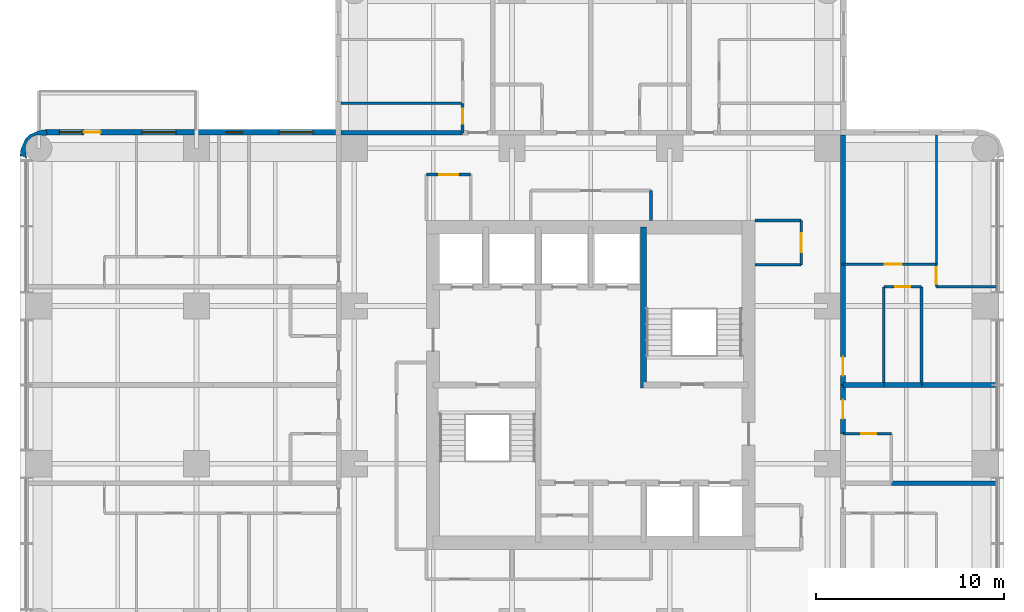
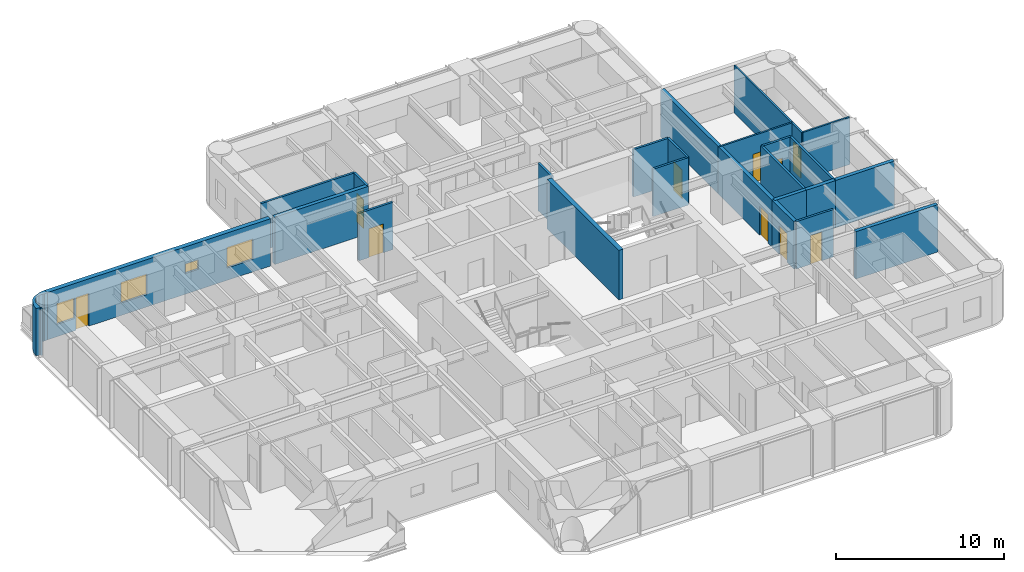
# One storey, part 8 of 11: 26 walls, 10 doors, 4 windows, 14 openings.
"""IFC4 building model written with IfcOpenShell, lengths in metres."""

from ifc_helpers import new_model, si_unit, direction, frame, frame_2d, origin, place, context, subcontext, project, spatial, polyline, rectangle, outline, extrude, material, layer, layer_set, type_object, element, fill, save


model = new_model("IFC4")

# Units and contexts
model_context = context("Model", 3, precision=1e-05, world=origin(), true_north=direction((0.0, 1.0)))
body_context = subcontext(model_context, "Body", "Model", "MODEL_VIEW")
ifc_project = project(units=[si_unit("LENGTHUNIT", "METRE"), si_unit("AREAUNIT", "SQUARE_METRE"), si_unit("VOLUMEUNIT", "CUBIC_METRE"), si_unit("PLANEANGLEUNIT", "RADIAN"), si_unit("MASSUNIT", "GRAM", prefix="KILO")], contexts=[model_context])

# Site, building, storey
site_placement = place(None, origin())
site = spatial("IfcSite", under=ifc_project, at=site_placement, CompositionType="ELEMENT")
building_placement = place(site_placement, origin())
building = spatial("IfcBuilding", under=site, at=building_placement, Name="Torre Alcanfor", CompositionType="ELEMENT")
storey_placement = place(building_placement, frame((0.0, 0.0, 222.89990234375)))
storey = spatial("IfcBuildingStorey", under=building, at=storey_placement, Name="L58", CompositionType="ELEMENT", Elevation=222.89990234375)

# Wall
ifc_material_1 = material(Name="Concrete block masonry, hollow blocks NMX-C-404 9 MPa", Category="masonry")
ifc_layer_1 = layer(ifc_material_1, 0.25)
ifc_layer_set_1 = layer_set([ifc_layer_1], Name="Apartment entrance wall 250 EI 60")
wall_type_1 = type_object("IfcWallType", Name="Apartment entrance wall 250 EI 60", PredefinedType="PARTITIONING", material=ifc_layer_set_1)
wall_1_placement = place(storey_placement, frame((16.10009765625, 42.824951171875, 0.0), z_axis=(0.0, 0.0, 1.0), x_axis=(1.0, 0.0, 0.0)))
element("IfcWall", 1, at=wall_1_placement, inside=storey, type_object=wall_type_1, Name="Partition L58-CORR / L58-N1B-BATH", PredefinedType="PARTITIONING", context=body_context, shape_type="SweptSolid", body=[
    extrude(rectangle(XDim=6.470947265625, YDim=0.25, at=frame_2d((3.2353515625, 0.0))), origin(), (0.0, 0.0, 1.0), 3.4501953125),
])

# Wall, opening, door
wall_2_placement = place(storey_placement, frame((42.824951171875, 35.8291015625, 0.0), z_axis=(0.0, 0.0, 1.0), x_axis=(0.0, -1.0, 0.0)))
wall_2 = element("IfcWall", 2, at=wall_2_placement, inside=storey, type_object=wall_type_1, Name="Partition L58-CORR / L58-E1-LIVING", PredefinedType="PARTITIONING", context=body_context, shape_type="SweptSolid", body=[
    extrude(rectangle(XDim=6.42919921875, YDim=0.25, at=frame_2d((3.214599609375, 0.0))), origin(), (0.0, 0.0, 1.0), 3.4501953125),
])
opening_1_placement = place(wall_2_placement, frame((4.928955078125, 0.0, 0.0)))
opening_1 = element("IfcOpeningElement", 3, at=opening_1_placement, cuts=wall_2, Name="Opening D-A1", PredefinedType="OPENING", context=body_context, shape_type="SweptSolid", body=[
    extrude(rectangle(XDim=1.0, YDim=2.10009765625, at=frame_2d((0.5, 1.050048828125))), frame((0.0, 0.135009765625, 0.0), z_axis=(0.0, -1.0, 0.0), x_axis=(1.0, 0.0, 0.0)), (0.0, 0.0, 1.0), 0.27001953125),
])
ifc_material_2 = material(Name="Galvanised steel sheet ASTM A653", Category="steel")
door_type_1 = type_object("IfcDoorType", Name="Apartment entrance door FD60 1000x2100", OperationType="SINGLE_SWING_LEFT", PredefinedType="DOOR", material=ifc_material_2)
door_1_placement = place(opening_1_placement, origin())
door_1 = element("IfcDoor", 4, at=door_1_placement, inside=storey, type_object=door_type_1, Name="Apartment entrance L58-E1", OperationType="SINGLE_SWING_RIGHT", OverallHeight=2.10009765625, OverallWidth=1.0, PredefinedType="DOOR", context=body_context, shape_type="SweptSolid", body=[
    extrude(rectangle(XDim=1.0, YDim=2.10009765625, at=frame_2d((0.5, 1.050048828125))), frame((0.0, 0.02490234375, 0.0), z_axis=(0.0, -1.0, 0.0), x_axis=(1.0, 0.0, 0.0)), (0.0, 0.0, 1.0), 0.050048828125),
])
fill(opening_1, door_1)

# Wall
wall_3_placement = place(storey_placement, frame((42.824951171875, 42.699951171875, 0.0), z_axis=(0.0, 0.0, 1.0), x_axis=(0.0, -1.0, 0.0)))
element("IfcWall", 5, at=wall_3_placement, inside=storey, type_object=wall_type_1, Name="Partition L58-CORR / L58-E1-BED2", PredefinedType="PARTITIONING", context=body_context, shape_type="SweptSolid", body=[
    extrude(rectangle(XDim=6.870849609375, YDim=0.25, at=frame_2d((3.435546875, 0.0))), origin(), (0.0, 0.0, 1.0), 3.4501953125),
])

# Wall, opening, door
wall_4_placement = place(storey_placement, frame((42.824951171875, 29.39990234375, 0.0), z_axis=(0.0, 0.0, 1.0), x_axis=(0.0, -1.0, 0.0)))
wall_4 = element("IfcWall", 6, at=wall_4_placement, inside=storey, type_object=wall_type_1, Name="Partition L58-CORR / L58-E2A-STUDIO", PredefinedType="PARTITIONING", context=body_context, shape_type="SweptSolid", body=[
    extrude(rectangle(XDim=2.599853515625, YDim=0.25, at=frame_2d((1.2998046875, 0.0))), origin(), (0.0, 0.0, 1.0), 3.4501953125),
])
opening_2_placement = place(wall_4_placement, frame((0.800048828125, 0.0, 0.0)))
opening_2 = element("IfcOpeningElement", 7, at=opening_2_placement, cuts=wall_4, Name="Opening D-A1", PredefinedType="OPENING", context=body_context, shape_type="SweptSolid", body=[
    extrude(rectangle(XDim=1.0, YDim=2.10009765625, at=frame_2d((0.5, 1.050048828125))), frame((0.0, 0.135009765625, 0.0), z_axis=(0.0, -1.0, 0.0), x_axis=(1.0, 0.0, 0.0)), (0.0, 0.0, 1.0), 0.27001953125),
])
door_2_placement = place(opening_2_placement, origin())
door_2 = element("IfcDoor", 8, at=door_2_placement, inside=storey, type_object=door_type_1, Name="Apartment entrance L58-E2A", OperationType="SINGLE_SWING_LEFT", OverallHeight=2.10009765625, OverallWidth=1.0, PredefinedType="DOOR", context=body_context, shape_type="SweptSolid", body=[
    extrude(rectangle(XDim=1.0, YDim=2.10009765625, at=frame_2d((0.5, 1.050048828125))), frame((0.0, 0.02490234375, 0.0), z_axis=(0.0, -1.0, 0.0), x_axis=(1.0, 0.0, 0.0)), (0.0, 0.0, 1.0), 0.050048828125),
])
fill(opening_2, door_2)

ifc_material_3 = material(Name="Gypsum board on steel studs", Category="steel")
ifc_layer_2 = layer(ifc_material_3, 0.1201171875)
ifc_layer_set_2 = layer_set([ifc_layer_2], Name="Apartment partition 120")
wall_type_2 = type_object("IfcWallType", Name="Apartment partition 120", PredefinedType="PARTITIONING", material=ifc_layer_set_2)
wall_5_placement = place(storey_placement, frame((42.824951171875, 35.8291015625, 0.0), z_axis=(0.0, 0.0, 1.0), x_axis=(1.0, 0.0, 0.0)))
wall_5 = element("IfcWall", 9, at=wall_5_placement, inside=storey, type_object=wall_type_2, Name="Partition L58-E1-LIVING / L58-E1-BED2", PredefinedType="PARTITIONING", context=body_context, shape_type="SweptSolid", body=[
    extrude(rectangle(XDim=4.97509765625, YDim=0.1201171875, at=frame_2d((2.487548828125, 0.0))), origin(), (0.0, 0.0, 1.0), 3.4501953125),
])
opening_3_placement = place(wall_5_placement, frame((2.22509765625, 0.0, 0.0)))
opening_3 = element("IfcOpeningElement", 10, at=opening_3_placement, cuts=wall_5, Name="Opening D-R1", PredefinedType="OPENING", context=body_context, shape_type="SweptSolid", body=[
    extrude(rectangle(XDim=0.89990234375, YDim=2.10009765625, at=frame_2d((0.449951171875, 1.050048828125))), frame((0.0, 0.070068359375, 0.0), z_axis=(0.0, -1.0, 0.0), x_axis=(1.0, 0.0, 0.0)), (0.0, 0.0, 1.0), 0.14013671875),
])
ifc_material_4 = material(Name="Timber", Category="wood")
door_type_2 = type_object("IfcDoorType", Name="Internal door 900x2100", OperationType="SINGLE_SWING_LEFT", PredefinedType="DOOR", material=ifc_material_4)
door_3_placement = place(opening_3_placement, origin())
door_3 = element("IfcDoor", 11, at=door_3_placement, inside=storey, type_object=door_type_2, Name="Door L58-E1 bed2", OperationType="SINGLE_SWING_RIGHT", OverallHeight=2.10009765625, OverallWidth=0.89990234375, PredefinedType="DOOR", context=body_context, shape_type="SweptSolid", body=[
    extrude(rectangle(XDim=0.89990234375, YDim=2.10009765625, at=frame_2d((0.449951171875, 1.050048828125))), frame((0.0, 0.02490234375, 0.0), z_axis=(0.0, -1.0, 0.0), x_axis=(1.0, 0.0, 0.0)), (0.0, 0.0, 1.0), 0.050048828125),
])
fill(opening_3, door_3)

wall_6_placement = place(storey_placement, frame((47.800048828125, 35.8291015625, 0.0), z_axis=(0.0, 0.0, 1.0), x_axis=(0.0, -1.0, 0.0)))
wall_6 = element("IfcWall", 12, at=wall_6_placement, inside=storey, type_object=wall_type_2, Name="Partition L58-E1-LIVING / L58-E1-MASTER", PredefinedType="PARTITIONING", context=body_context, shape_type="SweptSolid", body=[
    extrude(rectangle(XDim=1.2001953125, YDim=0.1201171875, at=frame_2d((0.60009765625, 0.0))), origin(), (0.0, 0.0, 1.0), 3.4501953125),
])
opening_4_placement = place(wall_6_placement, frame((0.14892578125, 0.0, 0.0)))
opening_4 = element("IfcOpeningElement", 13, at=opening_4_placement, cuts=wall_6, Name="Opening D-R1", PredefinedType="OPENING", context=body_context, shape_type="SweptSolid", body=[
    extrude(rectangle(XDim=0.89990234375, YDim=2.10009765625, at=frame_2d((0.449951171875, 1.050048828125))), frame((0.0, 0.070068359375, 0.0), z_axis=(0.0, -1.0, 0.0), x_axis=(1.0, 0.0, 0.0)), (0.0, 0.0, 1.0), 0.14013671875),
])
door_4_placement = place(opening_4_placement, origin())
door_4 = element("IfcDoor", 14, at=door_4_placement, inside=storey, type_object=door_type_2, Name="Door L58-E1 master", OperationType="SINGLE_SWING_RIGHT", OverallHeight=2.10009765625, OverallWidth=0.89990234375, PredefinedType="DOOR", context=body_context, shape_type="SweptSolid", body=[
    extrude(rectangle(XDim=0.89990234375, YDim=2.10009765625, at=frame_2d((0.449951171875, 1.050048828125))), frame((0.0, 0.02490234375, 0.0), z_axis=(0.0, -1.0, 0.0), x_axis=(1.0, 0.0, 0.0)), (0.0, 0.0, 1.0), 0.050048828125),
])
fill(opening_4, door_4)

# Walls
wall_7_placement = place(storey_placement, frame((47.800048828125, 34.62890625, 0.0), z_axis=(0.0, 0.0, 1.0), x_axis=(1.0, 0.0, 0.0)))
element("IfcWall", 15, at=wall_7_placement, inside=storey, type_object=wall_type_2, Name="Partition L58-E1-LIVING / L58-E1-MASTER", PredefinedType="PARTITIONING", context=body_context, shape_type="SweptSolid", body=[
    extrude(rectangle(XDim=3.25, YDim=0.1201171875, at=frame_2d((1.625, 0.0))), origin(), (0.0, 0.0, 1.0), 3.4501953125),
])
wall_8_placement = place(storey_placement, frame((47.800048828125, 35.8291015625, 0.0), z_axis=(0.0, 0.0, 1.0), x_axis=(0.0, 1.0, 0.0)))
element("IfcWall", 16, at=wall_8_placement, inside=storey, type_object=wall_type_2, Name="Partition L58-E1-BED2 / L58-E1-MASTER", PredefinedType="PARTITIONING", context=body_context, shape_type="SweptSolid", body=[
    extrude(rectangle(XDim=6.870849609375, YDim=0.1201171875, at=frame_2d((3.435546875, 0.0))), origin(), (0.0, 0.0, 1.0), 3.4501953125),
])
ifc_material_5 = material(Name="Concrete f'c 70 MPa", Category="concrete")
ifc_layer_3 = layer(ifc_material_5, 0.300048828125)
ifc_layer_set_3 = layer_set([ifc_layer_3], Name="Core inner wall 300 f'c70")
wall_type_3 = type_object("IfcWallType", Name="Core inner wall 300 f'c70", PredefinedType="SHEAR", material=ifc_layer_set_3)
wall_9_placement = place(storey_placement, frame((32.199951171875, 29.25, 0.0), z_axis=(0.0, 0.0, 1.0), x_axis=(0.0, 1.0, 0.0)))
element("IfcWall", 17, at=wall_9_placement, inside=storey, type_object=wall_type_3, Name="Core wall X322N L58", PredefinedType="SHEAR", context=body_context, shape_type="SweptSolid", body=[
    extrude(rectangle(XDim=8.550048828125, YDim=0.300048828125, at=frame_2d((4.27490234375, 0.0))), origin(), (0.0, 0.0, 1.0), 3.60009765625),
])

# Wall, openings, door, windows
ifc_material_6 = material(Name="Limestone cladding", Category="masonry")
ifc_layer_4 = layer(ifc_material_6, 0.0400390625, Name="Facing")
ifc_material_7 = material(Name="Ventilated air cavity")
ifc_layer_5 = layer(ifc_material_7, 0.02001953125, ventilated=True, Name="Ventilated joint")
ifc_material_8 = material(Name="Mineral wool insulation", Category="insulation")
ifc_layer_6 = layer(ifc_material_8, 0.10009765625, Name="Insulation")
ifc_material_9 = material(Name="Concrete f'c 35 MPa", Category="concrete")
ifc_layer_7 = layer(ifc_material_9, 0.139892578125, Name="Backing")
ifc_layer_set_4 = layer_set([ifc_layer_4, ifc_layer_5, ifc_layer_6, ifc_layer_7], Name="External wall stone-clad 300")
wall_type_4 = type_object("IfcWallType", Name="External wall stone-clad 300", PredefinedType="SOLIDWALL", material=ifc_layer_set_4)
wall_10_placement = place(storey_placement, frame((15.800048828125, 42.85009765625, 0.0), z_axis=(0.0, 0.0, 1.0), x_axis=(-1.0, 0.0, 0.0)))
wall_10 = element("IfcWall", 18, at=wall_10_placement, inside=storey, type_object=wall_type_4, Name="External wall L58 1", PredefinedType="SOLIDWALL", context=body_context, shape_type="SweptSolid", body=[
    extrude(rectangle(XDim=15.400146484375, YDim=0.300048828125, at=frame_2d((7.7001953125, 0.0))), origin(), (0.0, 0.0, 1.0), 3.4501953125),
])
opening_5_placement = place(wall_10_placement, frame((1.199951171875, 0.0, 0.89990234375)))
opening_5 = element("IfcOpeningElement", 19, at=opening_5_placement, cuts=wall_10, Name="Opening W2", PredefinedType="OPENING", context=body_context, shape_type="SweptSolid", body=[
    extrude(rectangle(XDim=1.800048828125, YDim=1.5, at=frame_2d((0.89990234375, 0.75))), frame((0.0, 0.159912109375, 0.0), z_axis=(0.0, -1.0, 0.0), x_axis=(1.0, 0.0, 0.0)), (0.0, 0.0, 1.0), 0.320068359375),
])
opening_6_placement = place(wall_10_placement, frame((4.949951171875, 0.0, 1.5)))
opening_6 = element("IfcOpeningElement", 20, at=opening_6_placement, cuts=wall_10, Name="Opening W3", PredefinedType="OPENING", context=body_context, shape_type="SweptSolid", body=[
    extrude(rectangle(XDim=0.89990234375, YDim=0.699951171875, at=frame_2d((0.449951171875, 0.35009765625))), frame((0.0, 0.159912109375, 0.0), z_axis=(0.0, -1.0, 0.0), x_axis=(1.0, 0.0, 0.0)), (0.0, 0.0, 1.0), 0.320068359375),
])
opening_7_placement = place(wall_10_placement, frame((8.5, 0.0, 0.89990234375)))
opening_7 = element("IfcOpeningElement", 21, at=opening_7_placement, cuts=wall_10, Name="Opening W2", PredefinedType="OPENING", context=body_context, shape_type="SweptSolid", body=[
    extrude(rectangle(XDim=1.800048828125, YDim=1.5, at=frame_2d((0.89990234375, 0.75))), frame((0.0, 0.159912109375, 0.0), z_axis=(0.0, -1.0, 0.0), x_axis=(1.0, 0.0, 0.0)), (0.0, 0.0, 1.0), 0.320068359375),
])
opening_8_placement = place(wall_10_placement, frame((12.5, 0.0, 0.0)))
opening_8 = element("IfcOpeningElement", 22, at=opening_8_placement, cuts=wall_10, Name="Opening D-B1", PredefinedType="OPENING", context=body_context, shape_type="SweptSolid", body=[
    extrude(rectangle(XDim=0.89990234375, YDim=2.39990234375, at=frame_2d((0.449951171875, 1.199951171875))), frame((0.0, 0.159912109375, 0.0), z_axis=(0.0, -1.0, 0.0), x_axis=(1.0, 0.0, 0.0)), (0.0, 0.0, 1.0), 0.320068359375),
])
opening_9_placement = place(wall_10_placement, frame((13.5, 0.0, 0.89990234375)))
opening_9 = element("IfcOpeningElement", 23, at=opening_9_placement, cuts=wall_10, Name="Opening W4", PredefinedType="OPENING", context=body_context, shape_type="SweptSolid", body=[
    extrude(rectangle(XDim=1.199951171875, YDim=1.5, at=frame_2d((0.60009765625, 0.75))), frame((0.0, 0.159912109375, 0.0), z_axis=(0.0, -1.0, 0.0), x_axis=(1.0, 0.0, 0.0)), (0.0, 0.0, 1.0), 0.320068359375),
])
ifc_material_10 = material(Name="Aluminium and glass", Category="aluminium")
door_type_3 = type_object("IfcDoorType", Name="Balcony door glazed 900x2400", OperationType="SINGLE_SWING_LEFT", PredefinedType="DOOR", material=ifc_material_10)
door_5_placement = place(opening_8_placement, origin())
door_5 = element("IfcDoor", 24, at=door_5_placement, inside=storey, type_object=door_type_3, Name="Balcony door L58-W2", OperationType="SINGLE_SWING_LEFT", OverallHeight=2.39990234375, OverallWidth=0.89990234375, PredefinedType="DOOR", context=body_context, shape_type="SweptSolid", body=[
    extrude(rectangle(XDim=0.89990234375, YDim=2.39990234375, at=frame_2d((0.449951171875, 1.199951171875))), frame((0.0, 0.02490234375, 0.0), z_axis=(0.0, -1.0, 0.0), x_axis=(1.0, 0.0, 0.0)), (0.0, 0.0, 1.0), 0.050048828125),
])
fill(opening_8, door_5)
ifc_material_11 = material(Name="Aluminium frame with clear double glazing", Category="aluminium")
window_type_1 = type_object("IfcWindowType", Name="Window bathroom 900x700", PartitioningType="SINGLE_PANEL", PredefinedType="WINDOW", material=ifc_material_11)
window_1_placement = place(opening_6_placement, origin())
window_1 = element("IfcWindow", 25, at=window_1_placement, inside=storey, type_object=window_type_1, Name="Window W3 L58-W2", OverallHeight=0.699951171875, OverallWidth=0.89990234375, PartitioningType="SINGLE_PANEL", PredefinedType="WINDOW", context=body_context, shape_type="SweptSolid", body=[
    extrude(rectangle(XDim=0.89990234375, YDim=0.699951171875, at=frame_2d((0.449951171875, 0.35009765625))), frame((0.0, 0.030029296875, 0.0), z_axis=(0.0, -1.0, 0.0), x_axis=(1.0, 0.0, 0.0)), (0.0, 0.0, 1.0), 0.06005859375),
])
fill(opening_6, window_1)
ifc_material_12 = material(Name="Aluminium frame with clear double glazing", Category="aluminium")
window_type_2 = type_object("IfcWindowType", Name="Window bedroom 1200x1500", PartitioningType="SINGLE_PANEL", PredefinedType="WINDOW", material=ifc_material_12)
window_2_placement = place(opening_9_placement, origin())
window_2 = element("IfcWindow", 26, at=window_2_placement, inside=storey, type_object=window_type_2, Name="Window W4 L58-W2", OverallHeight=1.5, OverallWidth=1.199951171875, PartitioningType="SINGLE_PANEL", PredefinedType="WINDOW", context=body_context, shape_type="SweptSolid", body=[
    extrude(rectangle(XDim=1.199951171875, YDim=1.5, at=frame_2d((0.60009765625, 0.75))), frame((0.0, 0.030029296875, 0.0), z_axis=(0.0, -1.0, 0.0), x_axis=(1.0, 0.0, 0.0)), (0.0, 0.0, 1.0), 0.06005859375),
])
fill(opening_9, window_2)
ifc_material_13 = material(Name="Aluminium frame with clear double glazing", Category="aluminium")
window_type_3 = type_object("IfcWindowType", Name="Window bedroom 1800x1500", PartitioningType="SINGLE_PANEL", PredefinedType="WINDOW", material=ifc_material_13)
window_3_placement = place(opening_5_placement, origin())
window_3 = element("IfcWindow", 27, at=window_3_placement, inside=storey, type_object=window_type_3, Name="Window W2 L58-W2", OverallHeight=1.5, OverallWidth=1.800048828125, PartitioningType="SINGLE_PANEL", PredefinedType="WINDOW", context=body_context, shape_type="SweptSolid", body=[
    extrude(rectangle(XDim=1.800048828125, YDim=1.5, at=frame_2d((0.89990234375, 0.75))), frame((0.0, 0.030029296875, 0.0), z_axis=(0.0, -1.0, 0.0), x_axis=(1.0, 0.0, 0.0)), (0.0, 0.0, 1.0), 0.06005859375),
])
fill(opening_5, window_3)
window_4_placement = place(opening_7_placement, origin())
window_4 = element("IfcWindow", 28, at=window_4_placement, inside=storey, type_object=window_type_3, Name="Window W2 L58-W2", OverallHeight=1.5, OverallWidth=1.800048828125, PartitioningType="SINGLE_PANEL", PredefinedType="WINDOW", context=body_context, shape_type="SweptSolid", body=[
    extrude(rectangle(XDim=1.800048828125, YDim=1.5, at=frame_2d((0.89990234375, 0.75))), frame((0.0, 0.030029296875, 0.0), z_axis=(0.0, -1.0, 0.0), x_axis=(1.0, 0.0, 0.0)), (0.0, 0.0, 1.0), 0.06005859375),
])
fill(opening_7, window_4)

# Walls
ifc_material_14 = material(Name="Concrete block masonry, hollow blocks NMX-C-404 9 MPa", Category="masonry")
ifc_layer_8 = layer(ifc_material_14, 0.25)
ifc_layer_set_5 = layer_set([ifc_layer_8], Name="Party wall 250 EI 60")
wall_type_5 = type_object("IfcWallType", Name="Party wall 250 EI 60", PredefinedType="PARTITIONING", material=ifc_layer_set_5)
wall_11_placement = place(storey_placement, frame((45.0, 29.39990234375, 0.0), z_axis=(0.0, 0.0, 1.0), x_axis=(1.0, 0.0, 0.0)))
element("IfcWall", 29, at=wall_11_placement, inside=storey, type_object=wall_type_5, Name="Partition L58-E1-BATH / L58-E2A-STUDIO", PredefinedType="PARTITIONING", context=body_context, shape_type="SweptSolid", body=[
    extrude(rectangle(XDim=2.0, YDim=0.25, at=frame_2d((1.0, 0.0))), origin(), (0.0, 0.0, 1.0), 3.4501953125),
])
wall_12_placement = place(storey_placement, frame((45.0, 29.39990234375, 0.0), z_axis=(0.0, 0.0, 1.0), x_axis=(-1.0, 0.0, 0.0)))
element("IfcWall", 30, at=wall_12_placement, inside=storey, type_object=wall_type_5, Name="Partition L58-E1-LIVING / L58-E2A-STUDIO", PredefinedType="PARTITIONING", context=body_context, shape_type="SweptSolid", body=[
    extrude(rectangle(XDim=2.175048828125, YDim=0.25, at=frame_2d((1.08740234375, 0.0))), origin(), (0.0, 0.0, 1.0), 3.4501953125),
])
wall_13_placement = place(storey_placement, frame((51.050048828125, 29.39990234375, 0.0), z_axis=(0.0, 0.0, 1.0), x_axis=(-1.0, 0.0, 0.0)))
element("IfcWall", 31, at=wall_13_placement, inside=storey, type_object=wall_type_5, Name="Partition L58-E1-LIVING / L58-E2A-STUDIO", PredefinedType="PARTITIONING", context=body_context, shape_type="SweptSolid", body=[
    extrude(rectangle(XDim=4.050048828125, YDim=0.25, at=frame_2d((2.02490234375, 0.0))), origin(), (0.0, 0.0, 1.0), 3.4501953125),
])
wall_14_placement = place(storey_placement, frame((51.050048828125, 24.1708984375, 0.0), z_axis=(0.0, 0.0, 1.0), x_axis=(-1.0, 0.0, 0.0)))
element("IfcWall", 32, at=wall_14_placement, inside=storey, type_object=wall_type_5, Name="Partition L58-E2A-STUDIO / L58-E2B-LIVING", PredefinedType="PARTITIONING", context=body_context, shape_type="SweptSolid", body=[
    extrude(rectangle(XDim=5.650146484375, YDim=0.25, at=frame_2d((2.8251953125, 0.0))), origin(), (0.0, 0.0, 1.0), 3.4501953125),
])

# Wall, opening, door
ifc_material_15 = material(Name="Concrete block masonry, hollow blocks NMX-C-404 9 MPa", Category="masonry")
ifc_layer_9 = layer(ifc_material_15, 0.14990234375)
ifc_layer_set_6 = layer_set([ifc_layer_9], Name="Residents' room partition 150")
wall_type_6 = type_object("IfcWallType", Name="Residents' room partition 150", PredefinedType="PARTITIONING", material=ifc_layer_set_6)
wall_15_placement = place(storey_placement, frame((23.0, 40.60009765625, 0.0), z_axis=(0.0, 0.0, 1.0), x_axis=(-1.0, 0.0, 0.0)))
wall_15 = element("IfcWall", 33, at=wall_15_placement, inside=storey, type_object=wall_type_6, Name="Partition L58-CORR / L58-G01", PredefinedType="PARTITIONING", context=body_context, shape_type="SweptSolid", body=[
    extrude(rectangle(XDim=2.35009765625, YDim=0.14990234375, at=frame_2d((1.175048828125, 0.0))), origin(), (0.0, 0.0, 1.0), 3.4501953125),
])
opening_10_placement = place(wall_15_placement, frame((0.675048828125, 0.0, 0.0)))
opening_10 = element("IfcOpeningElement", 34, at=opening_10_placement, cuts=wall_15, Name="Opening D-M1", PredefinedType="OPENING", context=body_context, shape_type="SweptSolid", body=[
    extrude(rectangle(XDim=1.0, YDim=2.10009765625, at=frame_2d((0.5, 1.050048828125))), frame((0.0, 0.0849609375, 0.0), z_axis=(0.0, -1.0, 0.0), x_axis=(1.0, 0.0, 0.0)), (0.0, 0.0, 1.0), 0.169921875),
])
ifc_material_16 = material(Name="Timber", Category="wood")
door_type_4 = type_object("IfcDoorType", Name="Residents' room door 1000x2100", OperationType="SINGLE_SWING_LEFT", PredefinedType="DOOR", material=ifc_material_16)
door_6_placement = place(opening_10_placement, origin())
door_6 = element("IfcDoor", 35, at=door_6_placement, inside=storey, type_object=door_type_4, Name="Door L58-G01 cleaners' store", OperationType="SINGLE_SWING_LEFT", OverallHeight=2.10009765625, OverallWidth=1.0, PredefinedType="DOOR", context=body_context, shape_type="SweptSolid", body=[
    extrude(rectangle(XDim=1.0, YDim=2.10009765625, at=frame_2d((0.5, 1.050048828125))), frame((0.0, 0.02490234375, 0.0), z_axis=(0.0, -1.0, 0.0), x_axis=(1.0, 0.0, 0.0)), (0.0, 0.0, 1.0), 0.050048828125),
])
fill(opening_10, door_6)

# Walls
wall_16_placement = place(storey_placement, frame((32.60009765625, 38.14990234375, 0.0), z_axis=(0.0, 0.0, 1.0), x_axis=(0.0, 1.0, 0.0)))
element("IfcWall", 36, at=wall_16_placement, inside=storey, type_object=wall_type_6, Name="Partition L58-CORR / L58-G02", PredefinedType="PARTITIONING", context=body_context, shape_type="SweptSolid", body=[
    extrude(rectangle(XDim=1.60009765625, YDim=0.14990234375, at=frame_2d((0.800048828125, 0.0))), origin(), (0.0, 0.0, 1.0), 3.4501953125),
])
wall_17_placement = place(storey_placement, frame((38.14990234375, 35.800048828125, 0.0), z_axis=(0.0, 0.0, 1.0), x_axis=(1.0, 0.0, 0.0)))
element("IfcWall", 37, at=wall_17_placement, inside=storey, type_object=wall_type_6, Name="Partition L58-CORR / L58-G04", PredefinedType="PARTITIONING", context=body_context, shape_type="SweptSolid", body=[
    extrude(rectangle(XDim=2.4501953125, YDim=0.14990234375, at=frame_2d((1.22509765625, 0.0))), origin(), (0.0, 0.0, 1.0), 3.4501953125),
])

# Wall, opening, door
wall_18_placement = place(storey_placement, frame((40.60009765625, 35.800048828125, 0.0), z_axis=(0.0, 0.0, 1.0), x_axis=(0.0, 1.0, 0.0)))
wall_18 = element("IfcWall", 38, at=wall_18_placement, inside=storey, type_object=wall_type_6, Name="Partition L58-CORR / L58-G04", PredefinedType="PARTITIONING", context=body_context, shape_type="SweptSolid", body=[
    extrude(rectangle(XDim=2.349853515625, YDim=0.14990234375, at=frame_2d((1.1748046875, 0.0))), origin(), (0.0, 0.0, 1.0), 3.4501953125),
])
opening_11_placement = place(wall_18_placement, frame((0.675048828125, 0.0, 0.0)))
opening_11 = element("IfcOpeningElement", 39, at=opening_11_placement, cuts=wall_18, Name="Opening D-M1", PredefinedType="OPENING", context=body_context, shape_type="SweptSolid", body=[
    extrude(rectangle(XDim=1.0, YDim=2.10009765625, at=frame_2d((0.5, 1.050048828125))), frame((0.0, 0.0849609375, 0.0), z_axis=(0.0, -1.0, 0.0), x_axis=(1.0, 0.0, 0.0)), (0.0, 0.0, 1.0), 0.169921875),
])
door_7_placement = place(opening_11_placement, origin())
door_7 = element("IfcDoor", 40, at=door_7_placement, inside=storey, type_object=door_type_4, Name="Door L58-G04 residents' lockers", OperationType="SINGLE_SWING_LEFT", OverallHeight=2.10009765625, OverallWidth=1.0, PredefinedType="DOOR", context=body_context, shape_type="SweptSolid", body=[
    extrude(rectangle(XDim=1.0, YDim=2.10009765625, at=frame_2d((0.5, 1.050048828125))), frame((0.0, 0.02490234375, 0.0), z_axis=(0.0, -1.0, 0.0), x_axis=(1.0, 0.0, 0.0)), (0.0, 0.0, 1.0), 0.050048828125),
])
fill(opening_11, door_7)

# Walls
wall_19_placement = place(storey_placement, frame((40.60009765625, 38.14990234375, 0.0), z_axis=(0.0, 0.0, 1.0), x_axis=(-1.0, 0.0, 0.0)))
element("IfcWall", 41, at=wall_19_placement, inside=storey, type_object=wall_type_6, Name="Partition L58-CORR / L58-G04", PredefinedType="PARTITIONING", context=body_context, shape_type="SweptSolid", body=[
    extrude(rectangle(XDim=2.4501953125, YDim=0.14990234375, at=frame_2d((1.22509765625, 0.0))), origin(), (0.0, 0.0, 1.0), 3.4501953125),
])
ifc_layer_10 = layer(ifc_material_6, 0.0400390625, Name="Facing")
ifc_layer_11 = layer(ifc_material_7, 0.02001953125, ventilated=True, Name="Ventilated joint")
ifc_layer_12 = layer(ifc_material_8, 0.10009765625, Name="Insulation")
ifc_layer_13 = layer(ifc_material_9, 0.139892578125, Name="Backing")
ifc_layer_set_7 = layer_set([ifc_layer_10, ifc_layer_11, ifc_layer_12, ifc_layer_13], Name="Rounded corner pier stone-clad 300")
wall_type_7 = type_object("IfcWallType", Name="Rounded corner pier stone-clad 300", PredefinedType="SOLIDWALL", material=ifc_layer_set_7)
wall_20_placement = place(storey_placement, frame((0.289684728, 42.724211819, 0.0), z_axis=(0.0, 0.0, 1.0), x_axis=(-0.898030234854, 0.439933741929, 0.0)))
element("IfcWall", 42, at=wall_20_placement, inside=storey, type_object=wall_type_7, Name="Corner pier L58 13", PredefinedType="SOLIDWALL", context=body_context, shape_type="SweptSolid", body=[
    extrude(outline(polyline([(-0.1451696260029872, -0.04410137667948781), (0.022349775089968618, -0.29615457307685267), (0.3267662274453961, -0.09401161193946184), (0.5684395137438579, 0.1801582341686725), (0.5775438768187978, 0.19875519044837203), (0.6998681881563861, 0.337520421761322), (0.8105897526086489, 0.6609052696654318), (0.798987005723323, 0.8455248862565916), (0.8031915983754734, 0.8657994419976891), (0.7802772818432999, 1.230559659021311), (0.6636401292003462, 1.5768643338748296), (0.426274926498842, 1.4970116570996908), (0.3818262033461368, 1.5361339555879763), (0.27609856791259557, 1.5721508582913652), (0.34924184873618547, 1.4228445619203098), (0.3919947529834039, 1.4437886731693554), (0.4531844604451624, 1.2611683721887113), (0.5096660727895201, 1.2113572307370708), (0.632323380719828, 0.9609786838123349), (0.6499334439144826, 0.6825189735513317), (0.5596785928912745, 0.41891132480525434), (0.37509146330548054, 0.2096805523179385), (0.12471291638074464, 0.0870232443876307), (0.04955403003282338, 0.08228360846554762), (-0.12741072731568104, -0.035401515083730434), (-0.1451696260029872, -0.04410137667948781)])), origin(), (0.0, 0.0, 1.0), 3.4501953125),
])

# Wall, opening, door
ifc_material_17 = material(Name="Cement board on steel studs", Category="steel")
ifc_layer_14 = layer(ifc_material_17, 0.14990234375)
ifc_layer_set_8 = layer_set([ifc_layer_14], Name="Wet area partition 150")
wall_type_8 = type_object("IfcWallType", Name="Wet area partition 150", PredefinedType="PARTITIONING", material=ifc_layer_set_8)
wall_21_placement = place(storey_placement, frame((22.571044921875, 42.824951171875, 0.0), z_axis=(0.0, 0.0, 1.0), x_axis=(0.0, 1.0, 0.0)))
wall_21 = element("IfcWall", 43, at=wall_21_placement, inside=storey, type_object=wall_type_8, Name="Partition L58-N1B-LIVING / L58-N1B-BATH", PredefinedType="PARTITIONING", context=body_context, shape_type="SweptSolid", body=[
    extrude(rectangle(XDim=1.574951171875, YDim=0.14990234375, at=frame_2d((0.78759765625, 0.0))), origin(), (0.0, 0.0, 1.0), 3.4501953125),
])
opening_12_placement = place(wall_21_placement, frame((0.47509765625, 0.0, 0.0)))
opening_12 = element("IfcOpeningElement", 44, at=opening_12_placement, cuts=wall_21, Name="Opening D-R2", PredefinedType="OPENING", context=body_context, shape_type="SweptSolid", body=[
    extrude(rectangle(XDim=0.800048828125, YDim=2.10009765625, at=frame_2d((0.39990234375, 1.050048828125))), frame((0.0, 0.0849609375, 0.0), z_axis=(0.0, -1.0, 0.0), x_axis=(1.0, 0.0, 0.0)), (0.0, 0.0, 1.0), 0.169921875),
])
ifc_material_18 = material(Name="Timber", Category="wood")
door_type_5 = type_object("IfcDoorType", Name="Bathroom door 800x2100", OperationType="SINGLE_SWING_LEFT", PredefinedType="DOOR", material=ifc_material_18)
door_8_placement = place(opening_12_placement, origin())
door_8 = element("IfcDoor", 45, at=door_8_placement, inside=storey, type_object=door_type_5, Name="Door L58-N1B bath", OperationType="SINGLE_SWING_RIGHT", OverallHeight=2.10009765625, OverallWidth=0.800048828125, PredefinedType="DOOR", context=body_context, shape_type="SweptSolid", body=[
    extrude(rectangle(XDim=0.800048828125, YDim=2.10009765625, at=frame_2d((0.39990234375, 1.050048828125))), frame((0.0, 0.02490234375, 0.0), z_axis=(0.0, -1.0, 0.0), x_axis=(1.0, 0.0, 0.0)), (0.0, 0.0, 1.0), 0.050048828125),
])
fill(opening_12, door_8)

# Walls
wall_22_placement = place(storey_placement, frame((22.571044921875, 44.39990234375, 0.0), z_axis=(0.0, 0.0, 1.0), x_axis=(-1.0, 0.0, 0.0)))
element("IfcWall", 46, at=wall_22_placement, inside=storey, type_object=wall_type_8, Name="Partition L58-N1B-BATH / L58-N1B-MASTER", PredefinedType="PARTITIONING", context=body_context, shape_type="SweptSolid", body=[
    extrude(rectangle(XDim=6.470947265625, YDim=0.14990234375, at=frame_2d((3.2353515625, 0.0))), origin(), (0.0, 0.0, 1.0), 3.4501953125),
])
wall_23_placement = place(storey_placement, frame((47.0, 29.39990234375, 0.0), z_axis=(0.0, 0.0, 1.0), x_axis=(0.0, 1.0, 0.0)))
element("IfcWall", 47, at=wall_23_placement, inside=storey, type_object=wall_type_8, Name="Partition L58-E1-BATH / L58-E1-LIVING", PredefinedType="PARTITIONING", context=body_context, shape_type="SweptSolid", body=[
    extrude(rectangle(XDim=5.22900390625, YDim=0.14990234375, at=frame_2d((2.614501953125, 0.0))), origin(), (0.0, 0.0, 1.0), 3.4501953125),
])

# Wall, opening, door
wall_24_placement = place(storey_placement, frame((47.0, 34.62890625, 0.0), z_axis=(0.0, 0.0, 1.0), x_axis=(-1.0, 0.0, 0.0)))
wall_24 = element("IfcWall", 48, at=wall_24_placement, inside=storey, type_object=wall_type_8, Name="Partition L58-E1-BATH / L58-E1-LIVING", PredefinedType="PARTITIONING", context=body_context, shape_type="SweptSolid", body=[
    extrude(rectangle(XDim=2.0, YDim=0.14990234375, at=frame_2d((1.0, 0.0))), origin(), (0.0, 0.0, 1.0), 3.4501953125),
])
opening_13_placement = place(wall_24_placement, frame((0.60009765625, 0.0, 0.0)))
opening_13 = element("IfcOpeningElement", 49, at=opening_13_placement, cuts=wall_24, Name="Opening D-R2", PredefinedType="OPENING", context=body_context, shape_type="SweptSolid", body=[
    extrude(rectangle(XDim=0.800048828125, YDim=2.10009765625, at=frame_2d((0.39990234375, 1.050048828125))), frame((0.0, 0.0849609375, 0.0), z_axis=(0.0, -1.0, 0.0), x_axis=(1.0, 0.0, 0.0)), (0.0, 0.0, 1.0), 0.169921875),
])
door_9_placement = place(opening_13_placement, origin())
door_9 = element("IfcDoor", 50, at=door_9_placement, inside=storey, type_object=door_type_5, Name="Door L58-E1 bath", OperationType="SINGLE_SWING_LEFT", OverallHeight=2.10009765625, OverallWidth=0.800048828125, PredefinedType="DOOR", context=body_context, shape_type="SweptSolid", body=[
    extrude(rectangle(XDim=0.800048828125, YDim=2.10009765625, at=frame_2d((0.39990234375, 1.050048828125))), frame((0.0, 0.02490234375, 0.0), z_axis=(0.0, -1.0, 0.0), x_axis=(1.0, 0.0, 0.0)), (0.0, 0.0, 1.0), 0.050048828125),
])
fill(opening_13, door_9)

# Wall
wall_25_placement = place(storey_placement, frame((45.0, 34.62890625, 0.0), z_axis=(0.0, 0.0, 1.0), x_axis=(0.0, -1.0, 0.0)))
element("IfcWall", 51, at=wall_25_placement, inside=storey, type_object=wall_type_8, Name="Partition L58-E1-BATH / L58-E1-LIVING", PredefinedType="PARTITIONING", context=body_context, shape_type="SweptSolid", body=[
    extrude(rectangle(XDim=5.22900390625, YDim=0.14990234375, at=frame_2d((2.614501953125, 0.0))), origin(), (0.0, 0.0, 1.0), 3.4501953125),
])

# Wall, opening, door
wall_26_placement = place(storey_placement, frame((45.39990234375, 26.800048828125, 0.0), z_axis=(0.0, 0.0, 1.0), x_axis=(-1.0, 0.0, 0.0)))
wall_26 = element("IfcWall", 52, at=wall_26_placement, inside=storey, type_object=wall_type_8, Name="Partition L58-E2A-STUDIO / L58-E2A-BATH", PredefinedType="PARTITIONING", context=body_context, shape_type="SweptSolid", body=[
    extrude(rectangle(XDim=2.574951171875, YDim=0.14990234375, at=frame_2d((1.28759765625, 0.0))), origin(), (0.0, 0.0, 1.0), 3.4501953125),
])
opening_14_placement = place(wall_26_placement, frame((0.800048828125, 0.0, 0.0)))
opening_14 = element("IfcOpeningElement", 53, at=opening_14_placement, cuts=wall_26, Name="Opening D-R2", PredefinedType="OPENING", context=body_context, shape_type="SweptSolid", body=[
    extrude(rectangle(XDim=0.800048828125, YDim=2.10009765625, at=frame_2d((0.39990234375, 1.050048828125))), frame((0.0, 0.0849609375, 0.0), z_axis=(0.0, -1.0, 0.0), x_axis=(1.0, 0.0, 0.0)), (0.0, 0.0, 1.0), 0.169921875),
])
door_10_placement = place(opening_14_placement, origin())
door_10 = element("IfcDoor", 54, at=door_10_placement, inside=storey, type_object=door_type_5, Name="Door L58-E2A bath", OperationType="SINGLE_SWING_LEFT", OverallHeight=2.10009765625, OverallWidth=0.800048828125, PredefinedType="DOOR", context=body_context, shape_type="SweptSolid", body=[
    extrude(rectangle(XDim=0.800048828125, YDim=2.10009765625, at=frame_2d((0.39990234375, 1.050048828125))), frame((0.0, 0.02490234375, 0.0), z_axis=(0.0, -1.0, 0.0), x_axis=(1.0, 0.0, 0.0)), (0.0, 0.0, 1.0), 0.050048828125),
])
fill(opening_14, door_10)

save(model, "model.ifc")
